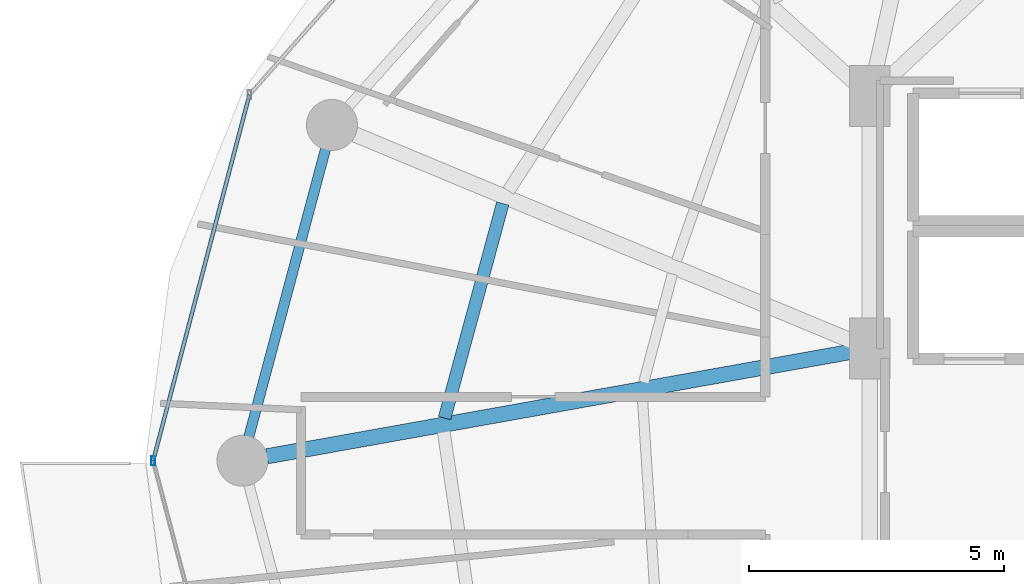
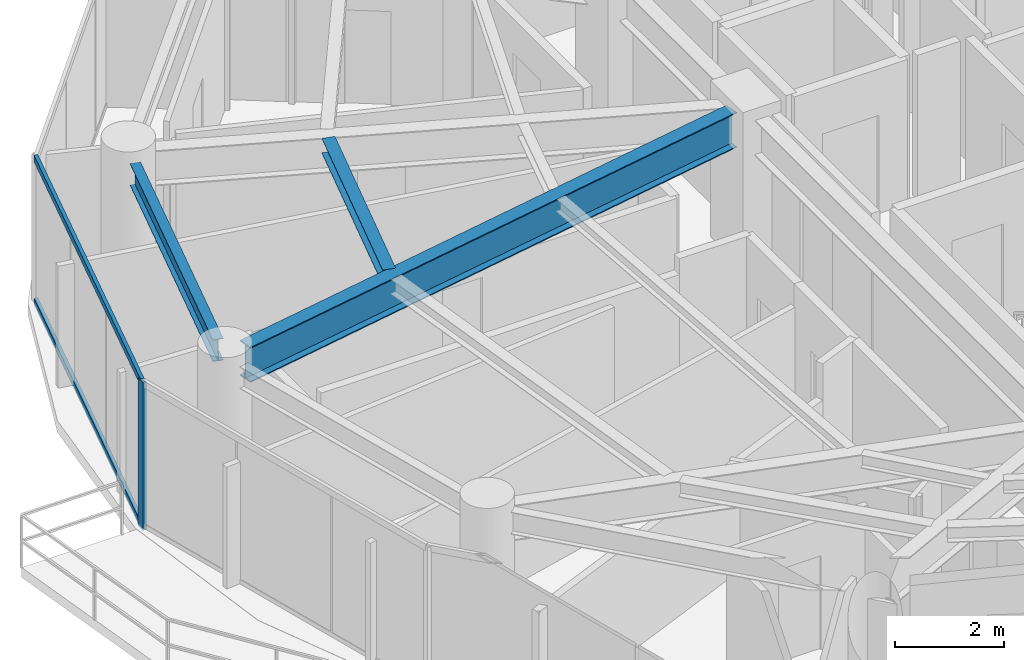
# One storey, part 6 of 28: 3 beams, 3 members, 1 element without a shape of its own.
"""IFC4 building model written with IfcOpenShell, lengths in metres."""

import ifcopenshell
import ifcopenshell.guid

model = None  # the IFC model being written
_history = None  # IfcOwnerHistory: only IFC2X3 demands one
_inside = {}  # id of a spatial element -> (the spatial element, [elements in it])
_under = {}  # id of a project, library or spatial element -> (it, [spatial elements below it])
_declared = {}  # id of a project -> (the project, [libraries it declares])
_typed = {}  # id of a type object -> (the type object, [elements of that type])
_made_of = {}  # id of a material, layer set ... -> (it, [elements and type objects made of it])


def new_model(schema):
    """Start an empty IFC model of exactly this schema.

    Asked for "IFC4X3", IfcOpenShell would pick the latest addendum, in which some entities
    have other attributes; the version numbers below select the first issue.
    IFC2X3 requires an IfcOwnerHistory on every rooted entity: one is made here for all.
    """
    global model, _history
    if schema == "IFC4X3":
        model = ifcopenshell.file(schema_version=(4, 3, 0, 0))
    else:
        model = ifcopenshell.file(schema=schema)
    _inside.clear()
    _under.clear()
    _declared.clear()
    _typed.clear()
    _made_of.clear()
    _history = None
    if model.schema == "IFC2X3":
        org = make("IfcOrganization", Name="unknown")
        user = make(
            "IfcPersonAndOrganization",
            ThePerson=make("IfcPerson", FamilyName="unknown"),
            TheOrganization=org,
        )
        app = make(
            "IfcApplication",
            ApplicationDeveloper=org,
            Version="unknown",
            ApplicationFullName="unknown",
            ApplicationIdentifier="unknown",
        )
        _history = make(
            "IfcOwnerHistory",
            OwningUser=user,
            OwningApplication=app,
            ChangeAction="ADDED",
            CreationDate=0,
        )
    return model


def make(cls, **values):
    """One entity of the class cls with the attributes given. An attribute that is None is left unset."""
    return model.create_entity(
        cls, **{name: value for name, value in values.items() if value is not None}
    )


def rooted(cls, **values):
    """An entity with a GlobalId (a new one), such as an element, a storey or a relation."""
    return make(cls, GlobalId=ifcopenshell.guid.new(), OwnerHistory=_history, **values)


def si_unit(unit_type, name, prefix=None):
    """IfcSIUnit, for example si_unit("LENGTHUNIT", "METRE", prefix="MILLI")."""
    return make("IfcSIUnit", UnitType=unit_type, Prefix=prefix, Name=name)


def assignment(units):
    """IfcUnitAssignment: the units of a project."""
    return None if units is None else make("IfcUnitAssignment", Units=units)


def point(xyz):
    """IfcCartesianPoint."""
    return None if xyz is None else make("IfcCartesianPoint", Coordinates=xyz)


def direction(xyz):
    """IfcDirection."""
    return None if xyz is None else make("IfcDirection", DirectionRatios=xyz)


def frame(location, z_axis=None, x_axis=None):
    """IfcAxis2Placement3D, a coordinate frame: its origin and axes. An axis left out is left unset."""
    return make(
        "IfcAxis2Placement3D",
        Location=point(location),
        Axis=direction(z_axis),
        RefDirection=direction(x_axis),
    )


def frame_2d(location, x_axis=None):
    """IfcAxis2Placement2D, a coordinate frame in the plane: its origin and x axis."""
    return make(
        "IfcAxis2Placement2D", Location=point(location), RefDirection=direction(x_axis)
    )


def origin():
    """The frame at (0, 0, 0) with its axes left unset."""
    return frame((0.0, 0.0, 0.0))


def origin_2d():
    """The frame at (0, 0) in the plane with its x axis left unset."""
    return frame_2d((0.0, 0.0))


def place(relative_to, where):
    """IfcLocalPlacement: puts the frame where relative to a parent placement (None: the world)."""
    return make(
        "IfcLocalPlacement", PlacementRelTo=relative_to, RelativePlacement=where
    )


def context(
    kind, dimensions, precision=None, world=None, true_north=None, identifier=None
):
    """IfcGeometricRepresentationContext, for example the 3D "Model" context."""
    return make(
        "IfcGeometricRepresentationContext",
        ContextIdentifier=identifier,
        ContextType=kind,
        CoordinateSpaceDimension=dimensions,
        Precision=precision,
        WorldCoordinateSystem=world,
        TrueNorth=true_north,
    )


def subcontext(parent, identifier, kind, view, scale=None):
    """IfcGeometricRepresentationSubContext, for example "Body" below "Model"."""
    return make(
        "IfcGeometricRepresentationSubContext",
        ContextIdentifier=identifier,
        ContextType=kind,
        ParentContext=parent,
        TargetScale=scale,
        TargetView=view,
    )


def project(units=None, contexts=None):
    """IfcProject with its units and contexts."""
    return rooted(
        "IfcProject",
        Name="project",
        RepresentationContexts=contexts,
        UnitsInContext=assignment(units),
    )


def spatial(cls, under=None, at=None, **own):
    """A site, building, storey or space (cls), placed at a placement, below another one or the project."""
    s = rooted(cls, ObjectPlacement=at, **own)
    if under is not None:
        _under.setdefault(under.id(), (under, []))[1].append(s)
    return s


def profile(cls, at=None, kind="AREA", **sizes):
    """A parametric profile (cls). Its sizes go by their IFC names, for example OverallWidth=200.0."""
    return make(cls, ProfileType=kind, Position=at, **sizes)


def hollow_rectangle(**sizes):
    """IfcRectangleHollowProfileDef."""
    return profile("IfcRectangleHollowProfileDef", **sizes)


def i_section(**sizes):
    """IfcIShapeProfileDef."""
    return profile("IfcIShapeProfileDef", **sizes)


def extrude(swept, where, along, depth):
    """IfcExtrudedAreaSolid: the profile swept, set in the frame where, extruded along a direction by depth."""
    return make(
        "IfcExtrudedAreaSolid",
        SweptArea=swept,
        Position=where,
        ExtrudedDirection=direction(along),
        Depth=depth,
    )


def shape(context_of_items, identifier, shape_type, items):
    """IfcShapeRepresentation: the items that make up one representation, for example the "Body"."""
    return make(
        "IfcShapeRepresentation",
        ContextOfItems=context_of_items,
        RepresentationIdentifier=identifier,
        RepresentationType=shape_type,
        Items=items,
    )


def material(Name=None, Category=None):
    """IfcMaterial."""
    return make("IfcMaterial", Name=Name, Category=Category)


def material_profile(
    of_material, cross_section, Name=None, Category=None, Priority=None
):
    """IfcMaterialProfile: a cross section and its material."""
    return make(
        "IfcMaterialProfile",
        Name=Name,
        Material=of_material,
        Profile=cross_section,
        Priority=Priority,
        Category=Category,
    )


def profile_set(profiles, Name=None, composite=None):
    """IfcMaterialProfileSet."""
    return make(
        "IfcMaterialProfileSet",
        Name=Name,
        MaterialProfiles=profiles,
        CompositeProfile=composite,
    )


def made_of(thing, what):
    """Note that an element or type object is made of a material, layer set ...; save() writes the relation."""
    if what is not None:
        _made_of.setdefault(what.id(), (what, []))[1].append(thing)
    return thing


def type_object(cls, material=None, **own):
    """A type object (cls), such as IfcWallType, which elements share."""
    return made_of(rooted(cls, **own), material)


def element(
    cls,
    number,
    at=None,
    inside=None,
    cuts=None,
    type_object=None,
    material=None,
    context=None,
    identifier="Body",
    shape_type=None,
    held_by="IfcProductDefinitionShape",
    body=None,
    shapes=None,
    **own,
):
    """One element of the class cls, such as IfcWall. Its Tag is "e" and its number.

    at: its placement. inside: the storey or other place that contains it. cuts: it is an
    opening in that element (IfcRelVoidsElement). A single representation is given by context,
    identifier, shape_type and body (its items); several are given by shapes. held_by: the class
    of the entity that holds the representations. save() writes the other relations.
    """
    e = rooted(cls, Tag="e%d" % number, ObjectPlacement=at, **own)
    if body is not None:
        shapes = [shape(context, identifier, shape_type, body)]
    if shapes is not None:
        e.Representation = make(held_by, Representations=shapes)
    if inside is not None:
        _inside.setdefault(inside.id(), (inside, []))[1].append(e)
    if cuts is not None:
        rooted(
            "IfcRelVoidsElement", RelatingBuildingElement=cuts, RelatedOpeningElement=e
        )
    if type_object is not None:
        _typed.setdefault(type_object.id(), (type_object, []))[1].append(e)
    return made_of(e, material)


def aggregate(whole, parts):
    """IfcRelAggregates: a whole, such as a stair, and the parts it consists of."""
    return rooted("IfcRelAggregates", RelatingObject=whole, RelatedObjects=parts)


def save(model, path):
    """Write the relations noted so far, then the file.

    IfcRelAggregates (storeys below a building ...), IfcRelContainedInSpatialStructure (elements
    in a storey), IfcRelDefinesByType, IfcRelAssociatesMaterial and IfcRelDeclares: one each for
    every whole, place, type object, material and project.
    """
    for whole, parts in _under.values():
        aggregate(whole, parts)
    for where, things in _inside.values():
        rooted(
            "IfcRelContainedInSpatialStructure",
            RelatedElements=things,
            RelatingStructure=where,
        )
    for kind, things in _typed.values():
        rooted("IfcRelDefinesByType", RelatedObjects=things, RelatingType=kind)
    for what, things in _made_of.values():
        rooted("IfcRelAssociatesMaterial", RelatedObjects=things, RelatingMaterial=what)
    for by, libraries in _declared.values():
        rooted("IfcRelDeclares", RelatingContext=by, RelatedDefinitions=libraries)
    model.write(path)


model = new_model("IFC4")

# Units and contexts
model_context = context("Model", 3, precision=1e-05, world=origin(), true_north=direction((0.0, 1.0)))
body_context = subcontext(model_context, "Body", "Model", "MODEL_VIEW")
ifc_project = project(units=[si_unit("LENGTHUNIT", "METRE"), si_unit("AREAUNIT", "SQUARE_METRE"), si_unit("VOLUMEUNIT", "CUBIC_METRE"), si_unit("PLANEANGLEUNIT", "RADIAN"), si_unit("MASSUNIT", "GRAM", prefix="KILO")], contexts=[model_context])

# Site, building, storey
site_placement = place(None, origin())
site = spatial("IfcSite", under=ifc_project, at=site_placement, CompositionType="ELEMENT")
building_placement = place(site_placement, origin())
building = spatial("IfcBuilding", under=site, at=building_placement, Name="Vorneva Point Tower", CompositionType="ELEMENT")
storey_placement = place(building_placement, frame((0.0, 0.0, 160.60009765625)))
storey = spatial("IfcBuildingStorey", under=building, at=storey_placement, Name="L43", CompositionType="ELEMENT", Elevation=160.60009765625)

# Beams
ifc_material_1 = material(Name="Steel S355", Category="steel")
ifc_material_profile_1 = material_profile(ifc_material_1, i_section(OverallWidth=0.300048828125, OverallDepth=0.7880859375, WebThickness=0.014404296875, FlangeThickness=0.02197265625, at=origin_2d()), Name="80Sh1")
ifc_profile_set_1 = profile_set([ifc_material_profile_1], Name="Steel S355")
beam_type_1 = type_object("IfcBeamType", Name="BM-GRD-80Sh1", PredefinedType="USERDEFINED", material=ifc_profile_set_1)
beam_1_placement = place(storey_placement, frame((15.430419921875, 26.0859375, 2.845947265625), z_axis=(0.984378132756, 0.176067293249, 0.0), x_axis=(-0.176067293249, 0.984378132756, 0.0)))
element("IfcBeam", 1, at=beam_1_placement, inside=storey, type_object=beam_type_1, Name="L43 Radial Primary Girder 09", ObjectType="GIRDER", PredefinedType="USERDEFINED", context=body_context, shape_type="SweptSolid", body=[
    extrude(i_section(OverallWidth=0.300048828125, OverallDepth=0.7880859375, WebThickness=0.014404296875, FlangeThickness=0.02197265625, at=origin_2d()), origin(), (0.0, 0.0, 1.0), 11.667236328125),
])
ifc_material_profile_2 = material_profile(ifc_material_1, i_section(OverallWidth=0.2490234375, OverallDepth=0.333984375, WebThickness=0.008056640625, FlangeThickness=0.010986328125, at=origin_2d()), Name="35Sh1")
ifc_profile_set_2 = profile_set([ifc_material_profile_2], Name="Steel S355")
beam_type_2 = type_object("IfcBeamType", Name="BM-SEC-35Sh1", PredefinedType="BEAM", material=ifc_profile_set_2)
beam_2_placement = place(storey_placement, frame((20.05322265625, 31.04248046875, 3.072998046875), z_axis=(-0.261766569984, -0.965131215348, 0.0), x_axis=(0.965131215348, -0.261766569984, 0.0)))
element("IfcBeam", 2, at=beam_2_placement, inside=storey, type_object=beam_type_2, Name="L43 Secondary Floor Beam 1.08", PredefinedType="BEAM", context=body_context, shape_type="SweptSolid", body=[
    extrude(i_section(OverallWidth=0.2490234375, OverallDepth=0.333984375, WebThickness=0.008056640625, FlangeThickness=0.010986328125, at=origin_2d()), origin(), (0.0, 0.0, 1.0), 4.359375),
])
ifc_material_profile_3 = material_profile(ifc_material_1, i_section(OverallWidth=0.199951171875, OverallDepth=0.491943359375, WebThickness=0.0087890625, FlangeThickness=0.011962890625, at=origin_2d()), Name="50B1")
ifc_profile_set_3 = profile_set([ifc_material_profile_3], Name="Steel S355")
beam_type_3 = type_object("IfcBeamType", Name="BM-SPN-50B1", PredefinedType="SPANDREL", material=ifc_profile_set_3)
beam_3_placement = place(storey_placement, frame((16.57958984375, 32.113525390625, 2.993896484375), z_axis=(-0.257550804648, -0.966264758245, 0.0), x_axis=(0.966264758245, -0.257550804648, 0.0)))
element("IfcBeam", 3, at=beam_3_placement, inside=storey, type_object=beam_type_3, Name="L43 Perimeter Spandrel Ring Beam 08", PredefinedType="SPANDREL", context=body_context, shape_type="SweptSolid", body=[
    extrude(i_section(OverallWidth=0.199951171875, OverallDepth=0.491943359375, WebThickness=0.0087890625, FlangeThickness=0.011962890625, at=origin_2d()), origin(), (0.0, 0.0, 1.0), 5.842041015625),
])

# Curtain wall, members
ifc_material_2 = material(Name="Pale anodised aluminium", Category="aluminium")
curtain_wall_type = type_object("IfcCurtainWallType", Name="CW-RES-SYS", PredefinedType="NOTDEFINED", material=ifc_material_2)
curtain_wall_placement = place(storey_placement, origin())
curtain_wall = element("IfcCurtainWall", 4, at=curtain_wall_placement, inside=storey, type_object=curtain_wall_type, Name="L43 Unitised Curtain Wall CW-L43-R03", PredefinedType="NOTDEFINED")
ifc_material_profile_4 = material_profile(ifc_material_2, hollow_rectangle(XDim=0.074951171875, YDim=0.179931640625, WallThickness=0.00390625, at=origin_2d()), Name="AL-MUL 180x75x4")
ifc_profile_set_4 = profile_set([ifc_material_profile_4], Name="Pale anodised aluminium")
member_type_1 = type_object("IfcMemberType", Name="CW-MUL-180", PredefinedType="MULLION", material=ifc_profile_set_4)
member_1_placement = place(storey_placement, frame((13.199951171875, 26.0, -0.0400390625), z_axis=(0.0, 0.0, 1.0), x_axis=(1.0, 0.0, 0.0)))
member_1 = element("IfcMember", 5, at=member_1_placement, type_object=member_type_1, Name="CW-L43-R03 Mullion 03", PredefinedType="MULLION", context=body_context, shape_type="SweptSolid", body=[
    extrude(hollow_rectangle(XDim=0.074951171875, YDim=0.179931640625, WallThickness=0.00390625, at=origin_2d()), origin(), (0.0, 0.0, 1.0), 3.31005859375),
])
ifc_material_profile_5 = material_profile(ifc_material_2, hollow_rectangle(XDim=0.074951171875, YDim=0.14990234375, WallThickness=0.00390625, at=origin_2d()), Name="AL-TRN 150x75x4")
ifc_profile_set_5 = profile_set([ifc_material_profile_5], Name="Pale anodised aluminium")
member_type_2 = type_object("IfcMemberType", Name="CW-TRN-150", PredefinedType="USERDEFINED", material=ifc_profile_set_5)
member_2_placement = place(storey_placement, frame((15.087890625, 33.17529296875, 0.02001953125), z_axis=(-0.254456046293, -0.967084339913, 0.0), x_axis=(0.967084339913, -0.254456046293, 0.0)))
member_2 = element("IfcMember", 6, at=member_2_placement, type_object=member_type_2, Name="CW-L43-R03 Transom 02.1", ObjectType="TRANSOM", PredefinedType="USERDEFINED", context=body_context, shape_type="SweptSolid", body=[
    extrude(hollow_rectangle(XDim=0.074951171875, YDim=0.14990234375, WallThickness=0.00390625, at=origin_2d()), origin(), (0.0, 0.0, 1.0), 7.41943359375),
])
member_3_placement = place(storey_placement, frame((15.087890625, 33.17529296875, 3.219970703125), z_axis=(-0.254456046293, -0.967084339913, 0.0), x_axis=(0.967084339913, -0.254456046293, 0.0)))
member_3 = element("IfcMember", 7, at=member_3_placement, type_object=member_type_2, Name="CW-L43-R03 Transom 02.2", ObjectType="TRANSOM", PredefinedType="USERDEFINED", context=body_context, shape_type="SweptSolid", body=[
    extrude(hollow_rectangle(XDim=0.074951171875, YDim=0.14990234375, WallThickness=0.00390625, at=origin_2d()), origin(), (0.0, 0.0, 1.0), 7.41943359375),
])
aggregate(curtain_wall, [member_1, member_2, member_3])

save(model, "model.ifc")
